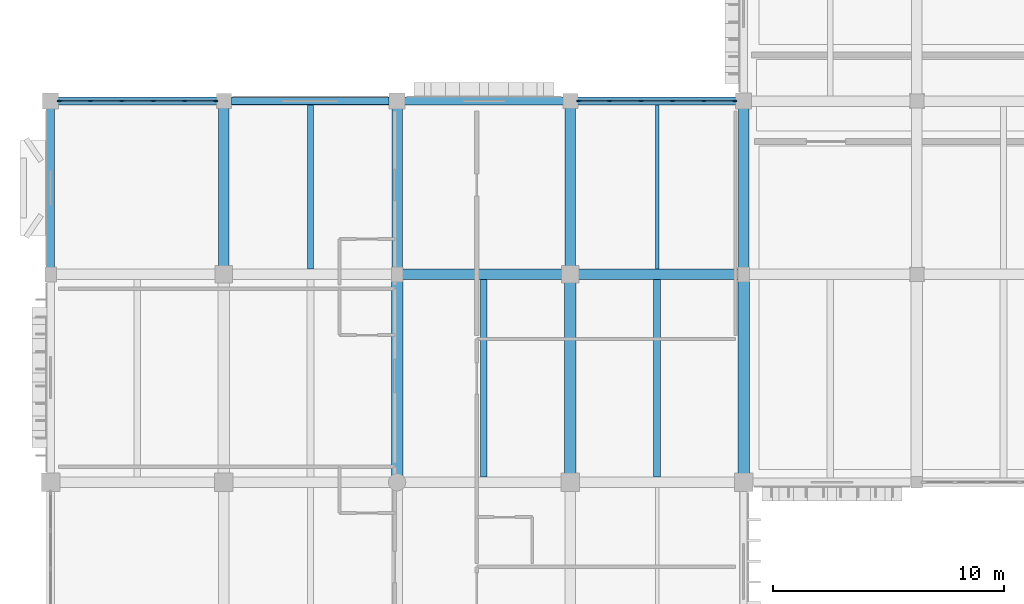
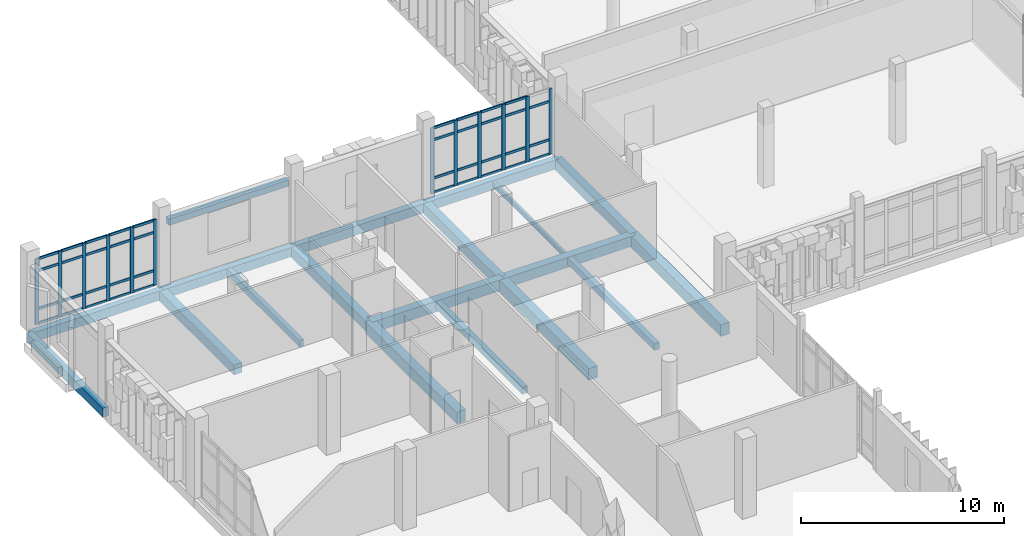
# One storey, part 52 of 131: 51 members, 19 beams, 2 elements without a shape of their own.
"""IFC4 building model written with IfcOpenShell, lengths in metres."""

from ifc_helpers import new_model, si_unit, direction, frame, origin, origin_2d, place, context, subcontext, project, spatial, rectangle, i_section, extrude, material, layer, layer_set, material_profile, profile_set, type_object, element, aggregate, save


model = new_model("IFC4")

# Units and contexts
model_context = context("Model", 3, precision=1e-05, world=origin(), true_north=direction((0.0, 1.0)))
body_context = subcontext(model_context, "Body", "Model", "MODEL_VIEW")
ifc_project = project(units=[si_unit("LENGTHUNIT", "METRE"), si_unit("AREAUNIT", "SQUARE_METRE"), si_unit("VOLUMEUNIT", "CUBIC_METRE"), si_unit("PLANEANGLEUNIT", "RADIAN"), si_unit("MASSUNIT", "GRAM", prefix="KILO")], contexts=[model_context])

# Site, building, storey
site_placement = place(None, origin())
site = spatial("IfcSite", under=ifc_project, at=site_placement, CompositionType="ELEMENT")
building_placement = place(site_placement, origin())
building = spatial("IfcBuilding", under=site, at=building_placement, Name="Dalvernix Boulevard General Hospital", CompositionType="ELEMENT")
storey_placement = place(building_placement, frame((0.0, 0.0, 9.300048828125)))
storey = spatial("IfcBuildingStorey", under=building, at=storey_placement, Name="L02", CompositionType="ELEMENT", Elevation=9.300048828125)

# Beams
ifc_material_1 = material(Name="Concrete C35/45", Category="concrete")
ifc_material_profile_1 = material_profile(ifc_material_1, rectangle(XDim=0.5, YDim=0.699951171875, at=origin_2d()), Name="RCB 500x700")
ifc_profile_set_1 = profile_set([ifc_material_profile_1], Name="Concrete C35/45")
beam_type_1 = type_object("IfcBeamType", Name="BM-B-01-I", PredefinedType="BEAM", material=ifc_profile_set_1)
for number, where, z_axis, x_axis, name in (
    (1, (15.0, 76.5, -0.670166015625), (0.0, 1.0, 0.0), (-1.0, 0.0, 0.0), "L02 N-S girder 3:L-M"),
    (2, (22.5, 76.5, -0.670166015625), (0.0, 1.0, 0.0), (-1.0, 0.0, 0.0), "L02 N-S girder 4:L-M"),
    (3, (30.0, 76.5, -0.670166015625), (0.0, 1.0, 0.0), (-1.0, 0.0, 0.0), "L02 N-S girder 5:L-M"),
):
    element("IfcBeam", number, at=place(storey_placement, frame(where, z_axis=z_axis, x_axis=x_axis)), inside=storey, type_object=beam_type_1, Name=name, PredefinedType="BEAM", context=body_context, shape_type="SweptSolid", body=[
        extrude(rectangle(XDim=0.5, YDim=0.699951171875, at=origin_2d()), origin(), (0.0, 0.0, 1.0), 9.0),
    ])
ifc_material_profile_2 = material_profile(ifc_material_1, rectangle(XDim=0.449951171875, YDim=0.64990234375, at=origin_2d()), Name="RCB 450x650")
ifc_profile_set_2 = profile_set([ifc_material_profile_2], Name="Concrete C35/45")
beam_type_2 = type_object("IfcBeamType", Name="BM-B-03-I", PredefinedType="BEAM", material=ifc_profile_set_2)
beam_1_placement = place(storey_placement, frame((15.0, 85.5, -0.64501953125), z_axis=(1.0, 0.0, 0.0), x_axis=(0.0, 1.0, 0.0)))
element("IfcBeam", 4, at=beam_1_placement, inside=storey, type_object=beam_type_2, Name="L02 E-W girder M:3-4", PredefinedType="BEAM", context=body_context, shape_type="SweptSolid", body=[
    extrude(rectangle(XDim=0.449951171875, YDim=0.64990234375, at=origin_2d()), origin(), (0.0, 0.0, 1.0), 7.5),
])
ifc_material_profile_3 = material_profile(ifc_material_1, rectangle(XDim=0.449951171875, YDim=0.60009765625, at=origin_2d()), Name="RCB 450x600")
ifc_profile_set_3 = profile_set([ifc_material_profile_3], Name="Concrete C35/45")
beam_type_3 = type_object("IfcBeamType", Name="BM-B-04-I", PredefinedType="BEAM", material=ifc_profile_set_3)
for number, where, z_axis, x_axis, name in (
    (5, (22.5, 85.5, -0.6201171875), (1.0, 0.0, 0.0), (0.0, 1.0, 0.0), "L02 E-W girder M:4-5"),
    (6, (7.5, 85.5, -0.6201171875), (0.0, 1.0, 0.0), (-1.0, 0.0, 0.0), "L02 N-S girder 2:M-N"),
    (7, (15.0, 85.5, -0.6201171875), (0.0, 1.0, 0.0), (-1.0, 0.0, 0.0), "L02 N-S girder 3:M-N"),
    (8, (22.5, 85.5, -0.6201171875), (0.0, 1.0, 0.0), (-1.0, 0.0, 0.0), "L02 N-S girder 4:M-N"),
    (9, (30.0, 85.5, -0.6201171875), (0.0, 1.0, 0.0), (-1.0, 0.0, 0.0), "L02 N-S girder 5:M-N"),
):
    element("IfcBeam", number, at=place(storey_placement, frame(where, z_axis=z_axis, x_axis=x_axis)), inside=storey, type_object=beam_type_3, Name=name, PredefinedType="BEAM", context=body_context, shape_type="SweptSolid", body=[
        extrude(rectangle(XDim=0.449951171875, YDim=0.60009765625, at=origin_2d()), origin(), (0.0, 0.0, 1.0), 7.5),
    ])
ifc_material_profile_4 = material_profile(ifc_material_1, rectangle(XDim=0.300048828125, YDim=0.39990234375, at=origin_2d()), Name="RCB 300x400")
ifc_profile_set_4 = profile_set([ifc_material_profile_4], Name="Concrete C35/45")
beam_type_4 = type_object("IfcBeamType", Name="BM-JB-01", PredefinedType="JOIST", material=ifc_profile_set_4)
for number, where, z_axis, x_axis, name in (
    (10, (18.75, 76.72509765625, -0.52001953125), (0.0, 1.0, 0.0), (-1.0, 0.0, 0.0), "L02 secondary floor beam 3-L"),
    (11, (26.25, 76.72509765625, -0.52001953125), (0.0, 1.0, 0.0), (-1.0, 0.0, 0.0), "L02 secondary floor beam 4-L"),
):
    element("IfcBeam", number, at=place(storey_placement, frame(where, z_axis=z_axis, x_axis=x_axis)), inside=storey, type_object=beam_type_4, Name=name, PredefinedType="JOIST", context=body_context, shape_type="SweptSolid", body=[
        extrude(rectangle(XDim=0.300048828125, YDim=0.39990234375, at=origin_2d()), origin(), (0.0, 0.0, 1.0), 8.5498046875),
    ])
ifc_material_profile_5 = material_profile(ifc_material_1, rectangle(XDim=0.25, YDim=0.39990234375, at=origin_2d()), Name="RCB 250x400")
ifc_profile_set_5 = profile_set([ifc_material_profile_5], Name="Concrete C35/45")
beam_type_5 = type_object("IfcBeamType", Name="BM-JB-02", PredefinedType="JOIST", material=ifc_profile_set_5)
beam_2_placement = place(storey_placement, frame((11.25, 85.72509765625, -0.52001953125), z_axis=(0.0, 1.0, 0.0), x_axis=(-1.0, 0.0, 0.0)))
element("IfcBeam", 12, at=beam_2_placement, inside=storey, type_object=beam_type_5, Name="L02 secondary floor beam 2-M", PredefinedType="JOIST", context=body_context, shape_type="SweptSolid", body=[
    extrude(rectangle(XDim=0.25, YDim=0.39990234375, at=origin_2d()), origin(), (0.0, 0.0, 1.0), 7.099853515625),
])
ifc_material_2 = material(Name="Steel S355", Category="steel")
ifc_material_profile_6 = material_profile(ifc_material_2, i_section(OverallWidth=0.14990234375, OverallDepth=0.300048828125, WebThickness=0.007080078125, FlangeThickness=0.0107421875, FilletRadius=0.014892578125, at=origin_2d()), Name="IPE 300")
ifc_profile_set_6 = profile_set([ifc_material_profile_6], Name="Steel S355")
beam_type_6 = type_object("IfcBeamType", Name="BM-JB-03", PredefinedType="JOIST", material=ifc_profile_set_6)
beam_3_placement = place(storey_placement, frame((26.25, 85.72509765625, -0.469970703125), z_axis=(0.0, 1.0, 0.0), x_axis=(-1.0, 0.0, 0.0)))
element("IfcBeam", 13, at=beam_3_placement, inside=storey, type_object=beam_type_6, Name="L02 secondary floor beam 4-M", PredefinedType="JOIST", context=body_context, shape_type="SweptSolid", body=[
    extrude(i_section(OverallWidth=0.14990234375, OverallDepth=0.300048828125, WebThickness=0.007080078125, FlangeThickness=0.0107421875, FilletRadius=0.014892578125, at=origin_2d()), origin(), (0.0, 0.0, 1.0), 7.099853515625),
])
ifc_material_3 = material(Name="Precast concrete C40/50", Category="concrete")
ifc_material_profile_7 = material_profile(ifc_material_3, rectangle(XDim=0.300048828125, YDim=0.3798828125, at=origin_2d()), Name="RCL 300x380")
ifc_profile_set_7 = profile_set([ifc_material_profile_7], Name="Precast concrete C40/50")
beam_type_7 = type_object("IfcBeamType", Name="BM-LB-02", PredefinedType="LINTEL", material=ifc_profile_set_7)
beam_4_placement = place(storey_placement, frame((7.8349609375, 93.0, 3.58984375), z_axis=(1.0, 0.0, 0.0), x_axis=(0.0, 1.0, 0.0)))
element("IfcBeam", 14, at=beam_4_placement, inside=storey, type_object=beam_type_7, Name="L02 precast window lintel N 1-12", PredefinedType="LINTEL", context=body_context, shape_type="SweptSolid", body=[
    extrude(rectangle(XDim=0.300048828125, YDim=0.3798828125, at=origin_2d()), origin(), (0.0, 0.0, 1.0), 6.804931640625),
])
ifc_material_profile_8 = material_profile(ifc_material_1, rectangle(XDim=0.35009765625, YDim=0.550048828125, at=origin_2d()), Name="RCB 350x550")
ifc_profile_set_8 = profile_set([ifc_material_profile_8], Name="Concrete C35/45")
beam_type_8 = type_object("IfcBeamType", Name="BM-SB-01-E", PredefinedType="SPANDREL", material=ifc_profile_set_8)
for number, where, z_axis, x_axis, name in (
    (15, (0.0, 93.0, -0.594970703125), (1.0, 0.0, 0.0), (0.0, 1.0, 0.0), "L02 E-W girder N:1-2"),
    (16, (7.5, 93.0, -0.594970703125), (1.0, 0.0, 0.0), (0.0, 1.0, 0.0), "L02 E-W girder N:2-3"),
    (17, (15.0, 93.0, -0.594970703125), (1.0, 0.0, 0.0), (0.0, 1.0, 0.0), "L02 E-W girder N:3-4"),
    (18, (22.5, 93.0, -0.594970703125), (1.0, 0.0, 0.0), (0.0, 1.0, 0.0), "L02 E-W girder N:4-5"),
    (19, (0.0, 85.5, -0.594970703125), (0.0, 1.0, 0.0), (-1.0, 0.0, 0.0), "L02 N-S girder 1:M-N"),
):
    element("IfcBeam", number, at=place(storey_placement, frame(where, z_axis=z_axis, x_axis=x_axis)), inside=storey, type_object=beam_type_8, Name=name, PredefinedType="SPANDREL", context=body_context, shape_type="SweptSolid", body=[
        extrude(rectangle(XDim=0.35009765625, YDim=0.550048828125, at=origin_2d()), origin(), (0.0, 0.0, 1.0), 7.5),
    ])

# Curtain wall, members
ifc_material_4 = material(Name="Thermally broken aluminium and solar-control glass curtain wall", Category="aluminium")
ifc_layer = layer(ifc_material_4, 0.199951171875)
ifc_layer_set = layer_set([ifc_layer], Name="Thermally broken aluminium and solar-control glass curtain wall (CW-CW-C-68x40)")
curtain_wall_type = type_object("IfcCurtainWallType", Name="CW-CW-C-68x40", PredefinedType="USERDEFINED", material=ifc_layer_set)
curtain_wall_1_placement = place(storey_placement, origin())
curtain_wall_1 = element("IfcCurtainWall", 20, at=curtain_wall_1_placement, inside=storey, type_object=curtain_wall_type, Name="L02 curtain wall CW-C-68x40 0-12", ObjectType="GLAZED FACADE", PredefinedType="USERDEFINED")
ifc_material_5 = material(Name="Aluminium EN AW-6060", Category="aluminium")
ifc_material_profile_9 = material_profile(ifc_material_5, rectangle(XDim=0.070068359375, YDim=0.199951171875, at=origin_2d()), Name="ALU MULL 70x200")
ifc_profile_set_9 = profile_set([ifc_material_profile_9], Name="Aluminium EN AW-6060")
member_type_1 = type_object("IfcMemberType", Name="MEM-CW-M3", PredefinedType="MULLION", material=ifc_profile_set_9)
member_1_placement = place(storey_placement, frame((0.39501953125, 93.0, 0.0), z_axis=(0.0, 0.0, 1.0), x_axis=(0.0, 1.0, 0.0)))
member_1 = element("IfcMember", 21, at=member_1_placement, type_object=member_type_1, Name="CW-C-68x40 mullion 1", PredefinedType="MULLION", context=body_context, shape_type="SweptSolid", body=[
    extrude(rectangle(XDim=0.070068359375, YDim=0.199951171875, at=origin_2d()), origin(), (0.0, 0.0, 1.0), 3.949951171875),
])
member_2_placement = place(storey_placement, frame((1.720947265625, 93.0, 0.0), z_axis=(0.0, 0.0, 1.0), x_axis=(0.0, 1.0, 0.0)))
member_2 = element("IfcMember", 22, at=member_2_placement, type_object=member_type_1, Name="CW-C-68x40 mullion 2", PredefinedType="MULLION", context=body_context, shape_type="SweptSolid", body=[
    extrude(rectangle(XDim=0.070068359375, YDim=0.199951171875, at=origin_2d()), origin(), (0.0, 0.0, 1.0), 3.949951171875),
])
member_3_placement = place(storey_placement, frame((3.08203125, 93.0, 0.0), z_axis=(0.0, 0.0, 1.0), x_axis=(0.0, 1.0, 0.0)))
member_3 = element("IfcMember", 23, at=member_3_placement, type_object=member_type_1, Name="CW-C-68x40 mullion 3", PredefinedType="MULLION", context=body_context, shape_type="SweptSolid", body=[
    extrude(rectangle(XDim=0.070068359375, YDim=0.199951171875, at=origin_2d()), origin(), (0.0, 0.0, 1.0), 3.949951171875),
])
member_4_placement = place(storey_placement, frame((4.443115234375, 93.0, 0.0), z_axis=(0.0, 0.0, 1.0), x_axis=(0.0, 1.0, 0.0)))
member_4 = element("IfcMember", 24, at=member_4_placement, type_object=member_type_1, Name="CW-C-68x40 mullion 4", PredefinedType="MULLION", context=body_context, shape_type="SweptSolid", body=[
    extrude(rectangle(XDim=0.070068359375, YDim=0.199951171875, at=origin_2d()), origin(), (0.0, 0.0, 1.0), 3.949951171875),
])
member_5_placement = place(storey_placement, frame((5.803955078125, 93.0, 0.0), z_axis=(0.0, 0.0, 1.0), x_axis=(0.0, 1.0, 0.0)))
member_5 = element("IfcMember", 25, at=member_5_placement, type_object=member_type_1, Name="CW-C-68x40 mullion 5", PredefinedType="MULLION", context=body_context, shape_type="SweptSolid", body=[
    extrude(rectangle(XDim=0.070068359375, YDim=0.199951171875, at=origin_2d()), origin(), (0.0, 0.0, 1.0), 3.949951171875),
])
member_6_placement = place(storey_placement, frame((7.1298828125, 93.0, 0.0), z_axis=(0.0, 0.0, 1.0), x_axis=(0.0, 1.0, 0.0)))
member_6 = element("IfcMember", 26, at=member_6_placement, type_object=member_type_1, Name="CW-C-68x40 mullion 6", PredefinedType="MULLION", context=body_context, shape_type="SweptSolid", body=[
    extrude(rectangle(XDim=0.070068359375, YDim=0.199951171875, at=origin_2d()), origin(), (0.0, 0.0, 1.0), 3.949951171875),
])

curtain_wall_2_placement = place(storey_placement, origin())
curtain_wall_2 = element("IfcCurtainWall", 27, at=curtain_wall_2_placement, inside=storey, type_object=curtain_wall_type, Name="L02 curtain wall CW-C-68x40 3-12", ObjectType="GLAZED FACADE", PredefinedType="USERDEFINED")
member_7_placement = place(storey_placement, frame((22.8701171875, 93.0, 0.0), z_axis=(0.0, 0.0, 1.0), x_axis=(0.0, 1.0, 0.0)))
member_7 = element("IfcMember", 28, at=member_7_placement, type_object=member_type_1, Name="CW-C-68x40 mullion 1", PredefinedType="MULLION", context=body_context, shape_type="SweptSolid", body=[
    extrude(rectangle(XDim=0.070068359375, YDim=0.199951171875, at=origin_2d()), origin(), (0.0, 0.0, 1.0), 3.949951171875),
])
member_8_placement = place(storey_placement, frame((24.196044921875, 93.0, 0.0), z_axis=(0.0, 0.0, 1.0), x_axis=(0.0, 1.0, 0.0)))
member_8 = element("IfcMember", 29, at=member_8_placement, type_object=member_type_1, Name="CW-C-68x40 mullion 2", PredefinedType="MULLION", context=body_context, shape_type="SweptSolid", body=[
    extrude(rectangle(XDim=0.070068359375, YDim=0.199951171875, at=origin_2d()), origin(), (0.0, 0.0, 1.0), 3.949951171875),
])
member_9_placement = place(storey_placement, frame((25.556884765625, 93.0, 0.0), z_axis=(0.0, 0.0, 1.0), x_axis=(0.0, 1.0, 0.0)))
member_9 = element("IfcMember", 30, at=member_9_placement, type_object=member_type_1, Name="CW-C-68x40 mullion 3", PredefinedType="MULLION", context=body_context, shape_type="SweptSolid", body=[
    extrude(rectangle(XDim=0.070068359375, YDim=0.199951171875, at=origin_2d()), origin(), (0.0, 0.0, 1.0), 3.949951171875),
])
member_10_placement = place(storey_placement, frame((26.91796875, 93.0, 0.0), z_axis=(0.0, 0.0, 1.0), x_axis=(0.0, 1.0, 0.0)))
member_10 = element("IfcMember", 31, at=member_10_placement, type_object=member_type_1, Name="CW-C-68x40 mullion 4", PredefinedType="MULLION", context=body_context, shape_type="SweptSolid", body=[
    extrude(rectangle(XDim=0.070068359375, YDim=0.199951171875, at=origin_2d()), origin(), (0.0, 0.0, 1.0), 3.949951171875),
])
member_11_placement = place(storey_placement, frame((28.279052734375, 93.0, 0.0), z_axis=(0.0, 0.0, 1.0), x_axis=(0.0, 1.0, 0.0)))
member_11 = element("IfcMember", 32, at=member_11_placement, type_object=member_type_1, Name="CW-C-68x40 mullion 5", PredefinedType="MULLION", context=body_context, shape_type="SweptSolid", body=[
    extrude(rectangle(XDim=0.070068359375, YDim=0.199951171875, at=origin_2d()), origin(), (0.0, 0.0, 1.0), 3.949951171875),
])
member_12_placement = place(storey_placement, frame((29.60498046875, 93.0, 0.0), z_axis=(0.0, 0.0, 1.0), x_axis=(0.0, 1.0, 0.0)))
member_12 = element("IfcMember", 33, at=member_12_placement, type_object=member_type_1, Name="CW-C-68x40 mullion 6", PredefinedType="MULLION", context=body_context, shape_type="SweptSolid", body=[
    extrude(rectangle(XDim=0.070068359375, YDim=0.199951171875, at=origin_2d()), origin(), (0.0, 0.0, 1.0), 3.949951171875),
])

# Member
ifc_material_profile_10 = material_profile(ifc_material_5, rectangle(XDim=0.070068359375, YDim=0.14990234375, at=origin_2d()), Name="ALU TRAN 70x150")
ifc_profile_set_10 = profile_set([ifc_material_profile_10], Name="Aluminium EN AW-6060")
member_type_2 = type_object("IfcMemberType", Name="MEM-CW-T3", PredefinedType="USERDEFINED", material=ifc_profile_set_10)
member_13_placement = place(storey_placement, frame((0.429931640625, 93.0, 0.034912109375), z_axis=(1.0, 0.0, 0.0), x_axis=(0.0, 1.0, 0.0)))
member_13 = element("IfcMember", 34, at=member_13_placement, type_object=member_type_2, Name="CW-C-68x40 transom 1.1", ObjectType="TRANSOM", PredefinedType="USERDEFINED", context=body_context, shape_type="SweptSolid", body=[
    extrude(rectangle(XDim=0.070068359375, YDim=0.14990234375, at=origin_2d()), origin(), (0.0, 0.0, 1.0), 1.256103515625),
])

member_14_placement = place(storey_placement, frame((0.429931640625, 93.0, 0.89990234375), z_axis=(1.0, 0.0, 0.0), x_axis=(0.0, 1.0, 0.0)))
member_14 = element("IfcMember", 35, at=member_14_placement, type_object=member_type_2, Name="CW-C-68x40 transom 1.2", ObjectType="TRANSOM", PredefinedType="USERDEFINED", context=body_context, shape_type="SweptSolid", body=[
    extrude(rectangle(XDim=0.070068359375, YDim=0.14990234375, at=origin_2d()), origin(), (0.0, 0.0, 1.0), 1.256103515625),
])

member_15_placement = place(storey_placement, frame((0.429931640625, 93.0, 3.199951171875), z_axis=(1.0, 0.0, 0.0), x_axis=(0.0, 1.0, 0.0)))
member_15 = element("IfcMember", 36, at=member_15_placement, type_object=member_type_2, Name="CW-C-68x40 transom 1.3", ObjectType="TRANSOM", PredefinedType="USERDEFINED", context=body_context, shape_type="SweptSolid", body=[
    extrude(rectangle(XDim=0.070068359375, YDim=0.14990234375, at=origin_2d()), origin(), (0.0, 0.0, 1.0), 1.256103515625),
])

member_16_placement = place(storey_placement, frame((0.429931640625, 93.0, 3.9150390625), z_axis=(1.0, 0.0, 0.0), x_axis=(0.0, 1.0, 0.0)))
member_16 = element("IfcMember", 37, at=member_16_placement, type_object=member_type_2, Name="CW-C-68x40 transom 1.4", ObjectType="TRANSOM", PredefinedType="USERDEFINED", context=body_context, shape_type="SweptSolid", body=[
    extrude(rectangle(XDim=0.070068359375, YDim=0.14990234375, at=origin_2d()), origin(), (0.0, 0.0, 1.0), 1.256103515625),
])

member_17_placement = place(storey_placement, frame((1.756103515625, 93.0, 0.034912109375), z_axis=(1.0, 0.0, 0.0), x_axis=(0.0, 1.0, 0.0)))
member_17 = element("IfcMember", 38, at=member_17_placement, type_object=member_type_2, Name="CW-C-68x40 transom 2.1", ObjectType="TRANSOM", PredefinedType="USERDEFINED", context=body_context, shape_type="SweptSolid", body=[
    extrude(rectangle(XDim=0.070068359375, YDim=0.14990234375, at=origin_2d()), origin(), (0.0, 0.0, 1.0), 1.291015625),
])

member_18_placement = place(storey_placement, frame((1.756103515625, 93.0, 0.89990234375), z_axis=(1.0, 0.0, 0.0), x_axis=(0.0, 1.0, 0.0)))
member_18 = element("IfcMember", 39, at=member_18_placement, type_object=member_type_2, Name="CW-C-68x40 transom 2.2", ObjectType="TRANSOM", PredefinedType="USERDEFINED", context=body_context, shape_type="SweptSolid", body=[
    extrude(rectangle(XDim=0.070068359375, YDim=0.14990234375, at=origin_2d()), origin(), (0.0, 0.0, 1.0), 1.291015625),
])

member_19_placement = place(storey_placement, frame((1.756103515625, 93.0, 3.199951171875), z_axis=(1.0, 0.0, 0.0), x_axis=(0.0, 1.0, 0.0)))
member_19 = element("IfcMember", 40, at=member_19_placement, type_object=member_type_2, Name="CW-C-68x40 transom 2.3", ObjectType="TRANSOM", PredefinedType="USERDEFINED", context=body_context, shape_type="SweptSolid", body=[
    extrude(rectangle(XDim=0.070068359375, YDim=0.14990234375, at=origin_2d()), origin(), (0.0, 0.0, 1.0), 1.291015625),
])

member_20_placement = place(storey_placement, frame((1.756103515625, 93.0, 3.9150390625), z_axis=(1.0, 0.0, 0.0), x_axis=(0.0, 1.0, 0.0)))
member_20 = element("IfcMember", 41, at=member_20_placement, type_object=member_type_2, Name="CW-C-68x40 transom 2.4", ObjectType="TRANSOM", PredefinedType="USERDEFINED", context=body_context, shape_type="SweptSolid", body=[
    extrude(rectangle(XDim=0.070068359375, YDim=0.14990234375, at=origin_2d()), origin(), (0.0, 0.0, 1.0), 1.291015625),
])

member_21_placement = place(storey_placement, frame((3.116943359375, 93.0, 0.034912109375), z_axis=(1.0, 0.0, 0.0), x_axis=(0.0, 1.0, 0.0)))
member_21 = element("IfcMember", 42, at=member_21_placement, type_object=member_type_2, Name="CW-C-68x40 transom 3.1", ObjectType="TRANSOM", PredefinedType="USERDEFINED", context=body_context, shape_type="SweptSolid", body=[
    extrude(rectangle(XDim=0.070068359375, YDim=0.14990234375, at=origin_2d()), origin(), (0.0, 0.0, 1.0), 1.291015625),
])

member_22_placement = place(storey_placement, frame((3.116943359375, 93.0, 0.89990234375), z_axis=(1.0, 0.0, 0.0), x_axis=(0.0, 1.0, 0.0)))
member_22 = element("IfcMember", 43, at=member_22_placement, type_object=member_type_2, Name="CW-C-68x40 transom 3.2", ObjectType="TRANSOM", PredefinedType="USERDEFINED", context=body_context, shape_type="SweptSolid", body=[
    extrude(rectangle(XDim=0.070068359375, YDim=0.14990234375, at=origin_2d()), origin(), (0.0, 0.0, 1.0), 1.291015625),
])

member_23_placement = place(storey_placement, frame((3.116943359375, 93.0, 3.199951171875), z_axis=(1.0, 0.0, 0.0), x_axis=(0.0, 1.0, 0.0)))
member_23 = element("IfcMember", 44, at=member_23_placement, type_object=member_type_2, Name="CW-C-68x40 transom 3.3", ObjectType="TRANSOM", PredefinedType="USERDEFINED", context=body_context, shape_type="SweptSolid", body=[
    extrude(rectangle(XDim=0.070068359375, YDim=0.14990234375, at=origin_2d()), origin(), (0.0, 0.0, 1.0), 1.291015625),
])

member_24_placement = place(storey_placement, frame((3.116943359375, 93.0, 3.9150390625), z_axis=(1.0, 0.0, 0.0), x_axis=(0.0, 1.0, 0.0)))
member_24 = element("IfcMember", 45, at=member_24_placement, type_object=member_type_2, Name="CW-C-68x40 transom 3.4", ObjectType="TRANSOM", PredefinedType="USERDEFINED", context=body_context, shape_type="SweptSolid", body=[
    extrude(rectangle(XDim=0.070068359375, YDim=0.14990234375, at=origin_2d()), origin(), (0.0, 0.0, 1.0), 1.291015625),
])

member_25_placement = place(storey_placement, frame((4.47802734375, 93.0, 0.034912109375), z_axis=(1.0, 0.0, 0.0), x_axis=(0.0, 1.0, 0.0)))
member_25 = element("IfcMember", 46, at=member_25_placement, type_object=member_type_2, Name="CW-C-68x40 transom 4.1", ObjectType="TRANSOM", PredefinedType="USERDEFINED", context=body_context, shape_type="SweptSolid", body=[
    extrude(rectangle(XDim=0.070068359375, YDim=0.14990234375, at=origin_2d()), origin(), (0.0, 0.0, 1.0), 1.291015625),
])

member_26_placement = place(storey_placement, frame((4.47802734375, 93.0, 0.89990234375), z_axis=(1.0, 0.0, 0.0), x_axis=(0.0, 1.0, 0.0)))
member_26 = element("IfcMember", 47, at=member_26_placement, type_object=member_type_2, Name="CW-C-68x40 transom 4.2", ObjectType="TRANSOM", PredefinedType="USERDEFINED", context=body_context, shape_type="SweptSolid", body=[
    extrude(rectangle(XDim=0.070068359375, YDim=0.14990234375, at=origin_2d()), origin(), (0.0, 0.0, 1.0), 1.291015625),
])

member_27_placement = place(storey_placement, frame((4.47802734375, 93.0, 3.199951171875), z_axis=(1.0, 0.0, 0.0), x_axis=(0.0, 1.0, 0.0)))
member_27 = element("IfcMember", 48, at=member_27_placement, type_object=member_type_2, Name="CW-C-68x40 transom 4.3", ObjectType="TRANSOM", PredefinedType="USERDEFINED", context=body_context, shape_type="SweptSolid", body=[
    extrude(rectangle(XDim=0.070068359375, YDim=0.14990234375, at=origin_2d()), origin(), (0.0, 0.0, 1.0), 1.291015625),
])

member_28_placement = place(storey_placement, frame((4.47802734375, 93.0, 3.9150390625), z_axis=(1.0, 0.0, 0.0), x_axis=(0.0, 1.0, 0.0)))
member_28 = element("IfcMember", 49, at=member_28_placement, type_object=member_type_2, Name="CW-C-68x40 transom 4.4", ObjectType="TRANSOM", PredefinedType="USERDEFINED", context=body_context, shape_type="SweptSolid", body=[
    extrude(rectangle(XDim=0.070068359375, YDim=0.14990234375, at=origin_2d()), origin(), (0.0, 0.0, 1.0), 1.291015625),
])

member_29_placement = place(storey_placement, frame((5.839111328125, 93.0, 0.034912109375), z_axis=(1.0, 0.0, 0.0), x_axis=(0.0, 1.0, 0.0)))
member_29 = element("IfcMember", 50, at=member_29_placement, type_object=member_type_2, Name="CW-C-68x40 transom 5.1", ObjectType="TRANSOM", PredefinedType="USERDEFINED", context=body_context, shape_type="SweptSolid", body=[
    extrude(rectangle(XDim=0.070068359375, YDim=0.14990234375, at=origin_2d()), origin(), (0.0, 0.0, 1.0), 1.255859375),
])

member_30_placement = place(storey_placement, frame((5.839111328125, 93.0, 0.89990234375), z_axis=(1.0, 0.0, 0.0), x_axis=(0.0, 1.0, 0.0)))
member_30 = element("IfcMember", 51, at=member_30_placement, type_object=member_type_2, Name="CW-C-68x40 transom 5.2", ObjectType="TRANSOM", PredefinedType="USERDEFINED", context=body_context, shape_type="SweptSolid", body=[
    extrude(rectangle(XDim=0.070068359375, YDim=0.14990234375, at=origin_2d()), origin(), (0.0, 0.0, 1.0), 1.255859375),
])

member_31_placement = place(storey_placement, frame((5.839111328125, 93.0, 3.199951171875), z_axis=(1.0, 0.0, 0.0), x_axis=(0.0, 1.0, 0.0)))
member_31 = element("IfcMember", 52, at=member_31_placement, type_object=member_type_2, Name="CW-C-68x40 transom 5.3", ObjectType="TRANSOM", PredefinedType="USERDEFINED", context=body_context, shape_type="SweptSolid", body=[
    extrude(rectangle(XDim=0.070068359375, YDim=0.14990234375, at=origin_2d()), origin(), (0.0, 0.0, 1.0), 1.255859375),
])

member_32_placement = place(storey_placement, frame((5.839111328125, 93.0, 3.9150390625), z_axis=(1.0, 0.0, 0.0), x_axis=(0.0, 1.0, 0.0)))
member_32 = element("IfcMember", 53, at=member_32_placement, type_object=member_type_2, Name="CW-C-68x40 transom 5.4", ObjectType="TRANSOM", PredefinedType="USERDEFINED", context=body_context, shape_type="SweptSolid", body=[
    extrude(rectangle(XDim=0.070068359375, YDim=0.14990234375, at=origin_2d()), origin(), (0.0, 0.0, 1.0), 1.255859375),
])

aggregate(curtain_wall_1, [member_1, member_2, member_3, member_4, member_5, member_6, member_13, member_14, member_15, member_16, member_17, member_18, member_19, member_20, member_21, member_22, member_23, member_24, member_25, member_26, member_27, member_28, member_29, member_30, member_31, member_32])

member_33_placement = place(storey_placement, frame((22.905029296875, 93.0, 0.034912109375), z_axis=(1.0, 0.0, 0.0), x_axis=(0.0, 1.0, 0.0)))
member_33 = element("IfcMember", 54, at=member_33_placement, type_object=member_type_2, Name="CW-C-68x40 transom 1.1", ObjectType="TRANSOM", PredefinedType="USERDEFINED", context=body_context, shape_type="SweptSolid", body=[
    extrude(rectangle(XDim=0.070068359375, YDim=0.14990234375, at=origin_2d()), origin(), (0.0, 0.0, 1.0), 1.255859375),
])

member_34_placement = place(storey_placement, frame((22.905029296875, 93.0, 0.89990234375), z_axis=(1.0, 0.0, 0.0), x_axis=(0.0, 1.0, 0.0)))
member_34 = element("IfcMember", 55, at=member_34_placement, type_object=member_type_2, Name="CW-C-68x40 transom 1.2", ObjectType="TRANSOM", PredefinedType="USERDEFINED", context=body_context, shape_type="SweptSolid", body=[
    extrude(rectangle(XDim=0.070068359375, YDim=0.14990234375, at=origin_2d()), origin(), (0.0, 0.0, 1.0), 1.255859375),
])

member_35_placement = place(storey_placement, frame((22.905029296875, 93.0, 3.199951171875), z_axis=(1.0, 0.0, 0.0), x_axis=(0.0, 1.0, 0.0)))
member_35 = element("IfcMember", 56, at=member_35_placement, type_object=member_type_2, Name="CW-C-68x40 transom 1.3", ObjectType="TRANSOM", PredefinedType="USERDEFINED", context=body_context, shape_type="SweptSolid", body=[
    extrude(rectangle(XDim=0.070068359375, YDim=0.14990234375, at=origin_2d()), origin(), (0.0, 0.0, 1.0), 1.255859375),
])

member_36_placement = place(storey_placement, frame((22.905029296875, 93.0, 3.9150390625), z_axis=(1.0, 0.0, 0.0), x_axis=(0.0, 1.0, 0.0)))
member_36 = element("IfcMember", 57, at=member_36_placement, type_object=member_type_2, Name="CW-C-68x40 transom 1.4", ObjectType="TRANSOM", PredefinedType="USERDEFINED", context=body_context, shape_type="SweptSolid", body=[
    extrude(rectangle(XDim=0.070068359375, YDim=0.14990234375, at=origin_2d()), origin(), (0.0, 0.0, 1.0), 1.255859375),
])

member_37_placement = place(storey_placement, frame((24.23095703125, 93.0, 0.034912109375), z_axis=(1.0, 0.0, 0.0), x_axis=(0.0, 1.0, 0.0)))
member_37 = element("IfcMember", 58, at=member_37_placement, type_object=member_type_2, Name="CW-C-68x40 transom 2.1", ObjectType="TRANSOM", PredefinedType="USERDEFINED", context=body_context, shape_type="SweptSolid", body=[
    extrude(rectangle(XDim=0.070068359375, YDim=0.14990234375, at=origin_2d()), origin(), (0.0, 0.0, 1.0), 1.291015625),
])

member_38_placement = place(storey_placement, frame((24.23095703125, 93.0, 0.89990234375), z_axis=(1.0, 0.0, 0.0), x_axis=(0.0, 1.0, 0.0)))
member_38 = element("IfcMember", 59, at=member_38_placement, type_object=member_type_2, Name="CW-C-68x40 transom 2.2", ObjectType="TRANSOM", PredefinedType="USERDEFINED", context=body_context, shape_type="SweptSolid", body=[
    extrude(rectangle(XDim=0.070068359375, YDim=0.14990234375, at=origin_2d()), origin(), (0.0, 0.0, 1.0), 1.291015625),
])

member_39_placement = place(storey_placement, frame((24.23095703125, 93.0, 3.199951171875), z_axis=(1.0, 0.0, 0.0), x_axis=(0.0, 1.0, 0.0)))
member_39 = element("IfcMember", 60, at=member_39_placement, type_object=member_type_2, Name="CW-C-68x40 transom 2.3", ObjectType="TRANSOM", PredefinedType="USERDEFINED", context=body_context, shape_type="SweptSolid", body=[
    extrude(rectangle(XDim=0.070068359375, YDim=0.14990234375, at=origin_2d()), origin(), (0.0, 0.0, 1.0), 1.291015625),
])

member_40_placement = place(storey_placement, frame((24.23095703125, 93.0, 3.9150390625), z_axis=(1.0, 0.0, 0.0), x_axis=(0.0, 1.0, 0.0)))
member_40 = element("IfcMember", 61, at=member_40_placement, type_object=member_type_2, Name="CW-C-68x40 transom 2.4", ObjectType="TRANSOM", PredefinedType="USERDEFINED", context=body_context, shape_type="SweptSolid", body=[
    extrude(rectangle(XDim=0.070068359375, YDim=0.14990234375, at=origin_2d()), origin(), (0.0, 0.0, 1.0), 1.291015625),
])

member_41_placement = place(storey_placement, frame((25.592041015625, 93.0, 0.034912109375), z_axis=(1.0, 0.0, 0.0), x_axis=(0.0, 1.0, 0.0)))
member_41 = element("IfcMember", 62, at=member_41_placement, type_object=member_type_2, Name="CW-C-68x40 transom 3.1", ObjectType="TRANSOM", PredefinedType="USERDEFINED", context=body_context, shape_type="SweptSolid", body=[
    extrude(rectangle(XDim=0.070068359375, YDim=0.14990234375, at=origin_2d()), origin(), (0.0, 0.0, 1.0), 1.291015625),
])

member_42_placement = place(storey_placement, frame((25.592041015625, 93.0, 0.89990234375), z_axis=(1.0, 0.0, 0.0), x_axis=(0.0, 1.0, 0.0)))
member_42 = element("IfcMember", 63, at=member_42_placement, type_object=member_type_2, Name="CW-C-68x40 transom 3.2", ObjectType="TRANSOM", PredefinedType="USERDEFINED", context=body_context, shape_type="SweptSolid", body=[
    extrude(rectangle(XDim=0.070068359375, YDim=0.14990234375, at=origin_2d()), origin(), (0.0, 0.0, 1.0), 1.291015625),
])

member_43_placement = place(storey_placement, frame((25.592041015625, 93.0, 3.199951171875), z_axis=(1.0, 0.0, 0.0), x_axis=(0.0, 1.0, 0.0)))
member_43 = element("IfcMember", 64, at=member_43_placement, type_object=member_type_2, Name="CW-C-68x40 transom 3.3", ObjectType="TRANSOM", PredefinedType="USERDEFINED", context=body_context, shape_type="SweptSolid", body=[
    extrude(rectangle(XDim=0.070068359375, YDim=0.14990234375, at=origin_2d()), origin(), (0.0, 0.0, 1.0), 1.291015625),
])

member_44_placement = place(storey_placement, frame((25.592041015625, 93.0, 3.9150390625), z_axis=(1.0, 0.0, 0.0), x_axis=(0.0, 1.0, 0.0)))
member_44 = element("IfcMember", 65, at=member_44_placement, type_object=member_type_2, Name="CW-C-68x40 transom 3.4", ObjectType="TRANSOM", PredefinedType="USERDEFINED", context=body_context, shape_type="SweptSolid", body=[
    extrude(rectangle(XDim=0.070068359375, YDim=0.14990234375, at=origin_2d()), origin(), (0.0, 0.0, 1.0), 1.291015625),
])

member_45_placement = place(storey_placement, frame((26.952880859375, 93.0, 0.034912109375), z_axis=(1.0, 0.0, 0.0), x_axis=(0.0, 1.0, 0.0)))
member_45 = element("IfcMember", 66, at=member_45_placement, type_object=member_type_2, Name="CW-C-68x40 transom 4.1", ObjectType="TRANSOM", PredefinedType="USERDEFINED", context=body_context, shape_type="SweptSolid", body=[
    extrude(rectangle(XDim=0.070068359375, YDim=0.14990234375, at=origin_2d()), origin(), (0.0, 0.0, 1.0), 1.291015625),
])

member_46_placement = place(storey_placement, frame((26.952880859375, 93.0, 0.89990234375), z_axis=(1.0, 0.0, 0.0), x_axis=(0.0, 1.0, 0.0)))
member_46 = element("IfcMember", 67, at=member_46_placement, type_object=member_type_2, Name="CW-C-68x40 transom 4.2", ObjectType="TRANSOM", PredefinedType="USERDEFINED", context=body_context, shape_type="SweptSolid", body=[
    extrude(rectangle(XDim=0.070068359375, YDim=0.14990234375, at=origin_2d()), origin(), (0.0, 0.0, 1.0), 1.291015625),
])

member_47_placement = place(storey_placement, frame((26.952880859375, 93.0, 3.199951171875), z_axis=(1.0, 0.0, 0.0), x_axis=(0.0, 1.0, 0.0)))
member_47 = element("IfcMember", 68, at=member_47_placement, type_object=member_type_2, Name="CW-C-68x40 transom 4.3", ObjectType="TRANSOM", PredefinedType="USERDEFINED", context=body_context, shape_type="SweptSolid", body=[
    extrude(rectangle(XDim=0.070068359375, YDim=0.14990234375, at=origin_2d()), origin(), (0.0, 0.0, 1.0), 1.291015625),
])

member_48_placement = place(storey_placement, frame((26.952880859375, 93.0, 3.9150390625), z_axis=(1.0, 0.0, 0.0), x_axis=(0.0, 1.0, 0.0)))
member_48 = element("IfcMember", 69, at=member_48_placement, type_object=member_type_2, Name="CW-C-68x40 transom 4.4", ObjectType="TRANSOM", PredefinedType="USERDEFINED", context=body_context, shape_type="SweptSolid", body=[
    extrude(rectangle(XDim=0.070068359375, YDim=0.14990234375, at=origin_2d()), origin(), (0.0, 0.0, 1.0), 1.291015625),
])

member_49_placement = place(storey_placement, frame((28.31396484375, 93.0, 0.034912109375), z_axis=(1.0, 0.0, 0.0), x_axis=(0.0, 1.0, 0.0)))
member_49 = element("IfcMember", 70, at=member_49_placement, type_object=member_type_2, Name="CW-C-68x40 transom 5.1", ObjectType="TRANSOM", PredefinedType="USERDEFINED", context=body_context, shape_type="SweptSolid", body=[
    extrude(rectangle(XDim=0.070068359375, YDim=0.14990234375, at=origin_2d()), origin(), (0.0, 0.0, 1.0), 1.256103515625),
])

member_50_placement = place(storey_placement, frame((28.31396484375, 93.0, 0.89990234375), z_axis=(1.0, 0.0, 0.0), x_axis=(0.0, 1.0, 0.0)))
member_50 = element("IfcMember", 71, at=member_50_placement, type_object=member_type_2, Name="CW-C-68x40 transom 5.2", ObjectType="TRANSOM", PredefinedType="USERDEFINED", context=body_context, shape_type="SweptSolid", body=[
    extrude(rectangle(XDim=0.070068359375, YDim=0.14990234375, at=origin_2d()), origin(), (0.0, 0.0, 1.0), 1.256103515625),
])

member_51_placement = place(storey_placement, frame((28.31396484375, 93.0, 3.199951171875), z_axis=(1.0, 0.0, 0.0), x_axis=(0.0, 1.0, 0.0)))
member_51 = element("IfcMember", 72, at=member_51_placement, type_object=member_type_2, Name="CW-C-68x40 transom 5.3", ObjectType="TRANSOM", PredefinedType="USERDEFINED", context=body_context, shape_type="SweptSolid", body=[
    extrude(rectangle(XDim=0.070068359375, YDim=0.14990234375, at=origin_2d()), origin(), (0.0, 0.0, 1.0), 1.256103515625),
])

aggregate(curtain_wall_2, [member_7, member_8, member_9, member_10, member_11, member_12, member_33, member_34, member_35, member_36, member_37, member_38, member_39, member_40, member_41, member_42, member_43, member_44, member_45, member_46, member_47, member_48, member_49, member_50, member_51])

save(model, "model.ifc")
